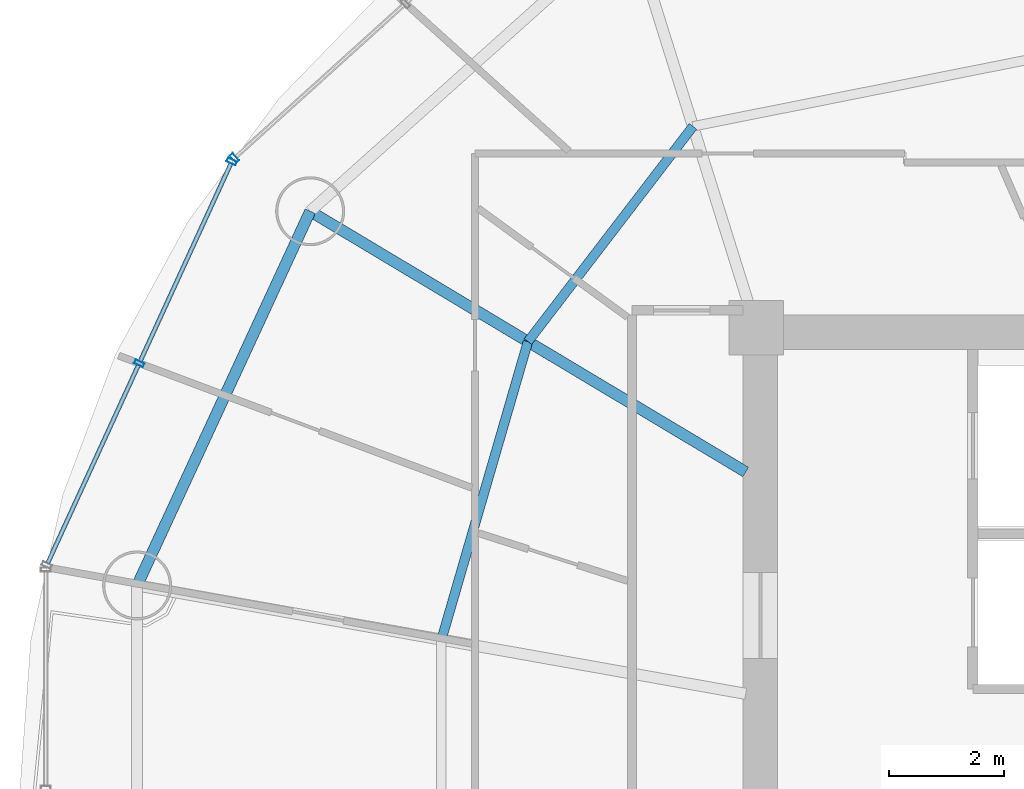
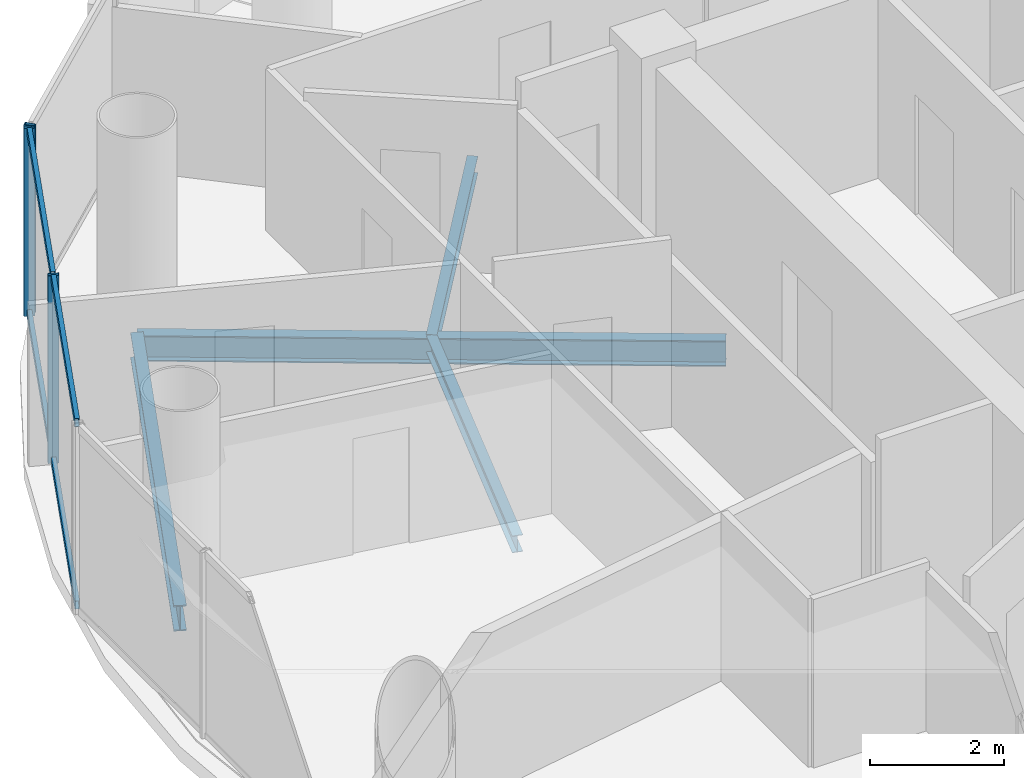
# One storey, part 8 of 27: 7 members, 4 beams, 2 elements without a shape of their own.
"""IFC4 building model written with IfcOpenShell, lengths in metres."""

import ifcopenshell
import ifcopenshell.guid

model = None  # the IFC model being written
_history = None  # IfcOwnerHistory: only IFC2X3 demands one
_inside = {}  # id of a spatial element -> (the spatial element, [elements in it])
_under = {}  # id of a project, library or spatial element -> (it, [spatial elements below it])
_declared = {}  # id of a project -> (the project, [libraries it declares])
_typed = {}  # id of a type object -> (the type object, [elements of that type])
_made_of = {}  # id of a material, layer set ... -> (it, [elements and type objects made of it])


def new_model(schema):
    """Start an empty IFC model of exactly this schema.

    Asked for "IFC4X3", IfcOpenShell would pick the latest addendum, in which some entities
    have other attributes; the version numbers below select the first issue.
    IFC2X3 requires an IfcOwnerHistory on every rooted entity: one is made here for all.
    """
    global model, _history
    if schema == "IFC4X3":
        model = ifcopenshell.file(schema_version=(4, 3, 0, 0))
    else:
        model = ifcopenshell.file(schema=schema)
    _inside.clear()
    _under.clear()
    _declared.clear()
    _typed.clear()
    _made_of.clear()
    _history = None
    if model.schema == "IFC2X3":
        org = make("IfcOrganization", Name="unknown")
        user = make(
            "IfcPersonAndOrganization",
            ThePerson=make("IfcPerson", FamilyName="unknown"),
            TheOrganization=org,
        )
        app = make(
            "IfcApplication",
            ApplicationDeveloper=org,
            Version="unknown",
            ApplicationFullName="unknown",
            ApplicationIdentifier="unknown",
        )
        _history = make(
            "IfcOwnerHistory",
            OwningUser=user,
            OwningApplication=app,
            ChangeAction="ADDED",
            CreationDate=0,
        )
    return model


def make(cls, **values):
    """One entity of the class cls with the attributes given. An attribute that is None is left unset."""
    return model.create_entity(
        cls, **{name: value for name, value in values.items() if value is not None}
    )


def rooted(cls, **values):
    """An entity with a GlobalId (a new one), such as an element, a storey or a relation."""
    return make(cls, GlobalId=ifcopenshell.guid.new(), OwnerHistory=_history, **values)


def si_unit(unit_type, name, prefix=None):
    """IfcSIUnit, for example si_unit("LENGTHUNIT", "METRE", prefix="MILLI")."""
    return make("IfcSIUnit", UnitType=unit_type, Prefix=prefix, Name=name)


def assignment(units):
    """IfcUnitAssignment: the units of a project."""
    return None if units is None else make("IfcUnitAssignment", Units=units)


def point(xyz):
    """IfcCartesianPoint."""
    return None if xyz is None else make("IfcCartesianPoint", Coordinates=xyz)


def direction(xyz):
    """IfcDirection."""
    return None if xyz is None else make("IfcDirection", DirectionRatios=xyz)


def frame(location, z_axis=None, x_axis=None):
    """IfcAxis2Placement3D, a coordinate frame: its origin and axes. An axis left out is left unset."""
    return make(
        "IfcAxis2Placement3D",
        Location=point(location),
        Axis=direction(z_axis),
        RefDirection=direction(x_axis),
    )


def frame_2d(location, x_axis=None):
    """IfcAxis2Placement2D, a coordinate frame in the plane: its origin and x axis."""
    return make(
        "IfcAxis2Placement2D", Location=point(location), RefDirection=direction(x_axis)
    )


def origin():
    """The frame at (0, 0, 0) with its axes left unset."""
    return frame((0.0, 0.0, 0.0))


def origin_2d():
    """The frame at (0, 0) in the plane with its x axis left unset."""
    return frame_2d((0.0, 0.0))


def place(relative_to, where):
    """IfcLocalPlacement: puts the frame where relative to a parent placement (None: the world)."""
    return make(
        "IfcLocalPlacement", PlacementRelTo=relative_to, RelativePlacement=where
    )


def context(
    kind, dimensions, precision=None, world=None, true_north=None, identifier=None
):
    """IfcGeometricRepresentationContext, for example the 3D "Model" context."""
    return make(
        "IfcGeometricRepresentationContext",
        ContextIdentifier=identifier,
        ContextType=kind,
        CoordinateSpaceDimension=dimensions,
        Precision=precision,
        WorldCoordinateSystem=world,
        TrueNorth=true_north,
    )


def subcontext(parent, identifier, kind, view, scale=None):
    """IfcGeometricRepresentationSubContext, for example "Body" below "Model"."""
    return make(
        "IfcGeometricRepresentationSubContext",
        ContextIdentifier=identifier,
        ContextType=kind,
        ParentContext=parent,
        TargetScale=scale,
        TargetView=view,
    )


def project(units=None, contexts=None):
    """IfcProject with its units and contexts."""
    return rooted(
        "IfcProject",
        Name="project",
        RepresentationContexts=contexts,
        UnitsInContext=assignment(units),
    )


def spatial(cls, under=None, at=None, **own):
    """A site, building, storey or space (cls), placed at a placement, below another one or the project."""
    s = rooted(cls, ObjectPlacement=at, **own)
    if under is not None:
        _under.setdefault(under.id(), (under, []))[1].append(s)
    return s


def profile(cls, at=None, kind="AREA", **sizes):
    """A parametric profile (cls). Its sizes go by their IFC names, for example OverallWidth=200.0."""
    return make(cls, ProfileType=kind, Position=at, **sizes)


def hollow_rectangle(**sizes):
    """IfcRectangleHollowProfileDef."""
    return profile("IfcRectangleHollowProfileDef", **sizes)


def i_section(**sizes):
    """IfcIShapeProfileDef."""
    return profile("IfcIShapeProfileDef", **sizes)


def extrude(swept, where, along, depth):
    """IfcExtrudedAreaSolid: the profile swept, set in the frame where, extruded along a direction by depth."""
    return make(
        "IfcExtrudedAreaSolid",
        SweptArea=swept,
        Position=where,
        ExtrudedDirection=direction(along),
        Depth=depth,
    )


def shape(context_of_items, identifier, shape_type, items):
    """IfcShapeRepresentation: the items that make up one representation, for example the "Body"."""
    return make(
        "IfcShapeRepresentation",
        ContextOfItems=context_of_items,
        RepresentationIdentifier=identifier,
        RepresentationType=shape_type,
        Items=items,
    )


def source(mapping_origin, context_of_items, identifier, shape_type, items):
    """IfcRepresentationMap: a shape defined once, which mapped items show again and again."""
    return make(
        "IfcRepresentationMap",
        MappingOrigin=mapping_origin,
        MappedRepresentation=shape(context_of_items, identifier, shape_type, items),
    )


def transform(
    local_origin,
    x_axis=None,
    y_axis=None,
    z_axis=None,
    scale=None,
    scale2=None,
    scale3=None,
    uniform=True,
):
    """IfcCartesianTransformationOperator3D, or its non-uniform kind. x_axis, y_axis, z_axis: its Axis1, 2, 3."""
    if uniform:
        return make(
            "IfcCartesianTransformationOperator3D",
            Axis1=direction(x_axis),
            Axis2=direction(y_axis),
            LocalOrigin=point(local_origin),
            Scale=scale,
            Axis3=direction(z_axis),
        )
    return make(
        "IfcCartesianTransformationOperator3DnonUniform",
        Axis1=direction(x_axis),
        Axis2=direction(y_axis),
        LocalOrigin=point(local_origin),
        Scale=scale,
        Axis3=direction(z_axis),
        Scale2=scale2,
        Scale3=scale3,
    )


def mapped(mapping_source, mapping_target):
    """IfcMappedItem: shows the shape of a source again, moved by a transform."""
    return make(
        "IfcMappedItem", MappingSource=mapping_source, MappingTarget=mapping_target
    )


def material(Name=None, Category=None):
    """IfcMaterial."""
    return make("IfcMaterial", Name=Name, Category=Category)


def material_profile(
    of_material, cross_section, Name=None, Category=None, Priority=None
):
    """IfcMaterialProfile: a cross section and its material."""
    return make(
        "IfcMaterialProfile",
        Name=Name,
        Material=of_material,
        Profile=cross_section,
        Priority=Priority,
        Category=Category,
    )


def profile_set(profiles, Name=None, composite=None):
    """IfcMaterialProfileSet."""
    return make(
        "IfcMaterialProfileSet",
        Name=Name,
        MaterialProfiles=profiles,
        CompositeProfile=composite,
    )


def made_of(thing, what):
    """Note that an element or type object is made of a material, layer set ...; save() writes the relation."""
    if what is not None:
        _made_of.setdefault(what.id(), (what, []))[1].append(thing)
    return thing


def type_object(cls, material=None, **own):
    """A type object (cls), such as IfcWallType, which elements share."""
    return made_of(rooted(cls, **own), material)


def element(
    cls,
    number,
    at=None,
    inside=None,
    cuts=None,
    type_object=None,
    material=None,
    context=None,
    identifier="Body",
    shape_type=None,
    held_by="IfcProductDefinitionShape",
    body=None,
    shapes=None,
    **own,
):
    """One element of the class cls, such as IfcWall. Its Tag is "e" and its number.

    at: its placement. inside: the storey or other place that contains it. cuts: it is an
    opening in that element (IfcRelVoidsElement). A single representation is given by context,
    identifier, shape_type and body (its items); several are given by shapes. held_by: the class
    of the entity that holds the representations. save() writes the other relations.
    """
    e = rooted(cls, Tag="e%d" % number, ObjectPlacement=at, **own)
    if body is not None:
        shapes = [shape(context, identifier, shape_type, body)]
    if shapes is not None:
        e.Representation = make(held_by, Representations=shapes)
    if inside is not None:
        _inside.setdefault(inside.id(), (inside, []))[1].append(e)
    if cuts is not None:
        rooted(
            "IfcRelVoidsElement", RelatingBuildingElement=cuts, RelatedOpeningElement=e
        )
    if type_object is not None:
        _typed.setdefault(type_object.id(), (type_object, []))[1].append(e)
    return made_of(e, material)


def aggregate(whole, parts):
    """IfcRelAggregates: a whole, such as a stair, and the parts it consists of."""
    return rooted("IfcRelAggregates", RelatingObject=whole, RelatedObjects=parts)


def save(model, path):
    """Write the relations noted so far, then the file.

    IfcRelAggregates (storeys below a building ...), IfcRelContainedInSpatialStructure (elements
    in a storey), IfcRelDefinesByType, IfcRelAssociatesMaterial and IfcRelDeclares: one each for
    every whole, place, type object, material and project.
    """
    for whole, parts in _under.values():
        aggregate(whole, parts)
    for where, things in _inside.values():
        rooted(
            "IfcRelContainedInSpatialStructure",
            RelatedElements=things,
            RelatingStructure=where,
        )
    for kind, things in _typed.values():
        rooted("IfcRelDefinesByType", RelatedObjects=things, RelatingType=kind)
    for what, things in _made_of.values():
        rooted("IfcRelAssociatesMaterial", RelatedObjects=things, RelatingMaterial=what)
    for by, libraries in _declared.values():
        rooted("IfcRelDeclares", RelatingContext=by, RelatedDefinitions=libraries)
    model.write(path)


model = new_model("IFC4")

# Units and contexts
model_context = context("Model", 3, precision=1e-05, world=origin(), true_north=direction((-0.2419218956, 0.970295726276)))
body_context = subcontext(model_context, "Body", "Model", "MODEL_VIEW")
ifc_project = project(units=[si_unit("LENGTHUNIT", "METRE"), si_unit("AREAUNIT", "SQUARE_METRE"), si_unit("VOLUMEUNIT", "CUBIC_METRE"), si_unit("PLANEANGLEUNIT", "RADIAN"), si_unit("MASSUNIT", "GRAM", prefix="KILO")], contexts=[model_context])

# Site, building, storey
site_placement = place(None, origin())
site = spatial("IfcSite", under=ifc_project, at=site_placement, CompositionType="ELEMENT")
building_placement = place(site_placement, origin())
building = spatial("IfcBuilding", under=site, at=building_placement, Name="Cobrevalo Terracotta Tower", CompositionType="ELEMENT")
storey_placement = place(building_placement, frame((0.0, 0.0, 194.89990234375)))
storey = spatial("IfcBuildingStorey", under=building, at=storey_placement, Name="L51", CompositionType="ELEMENT", Elevation=194.89990234375)

# Beams
ifc_material_1 = material(Name="Steel S355", Category="steel")
ifc_material_profile_1 = material_profile(ifc_material_1, i_section(OverallWidth=0.194091796875, OverallDepth=0.468994140625, WebThickness=0.011474609375, FlangeThickness=0.0205078125, at=origin_2d()), Name="W 460x106")
ifc_profile_set_1 = profile_set([ifc_material_profile_1], Name="Steel S355")
beam_type_1 = type_object("IfcBeamType", Name="Structural Beam W 460x106 (Steel S355)", PredefinedType="BEAM", material=ifc_profile_set_1)
beam_1_placement = place(storey_placement, frame((21.245849609375, 36.828125, -0.49951171875), z_axis=(0.858046392192, -0.513572184651, 0.0), x_axis=(0.513572184651, 0.858046392192, 0.0)))
element("IfcBeam", 1, at=beam_1_placement, inside=storey, type_object=beam_type_1, Name="L51 radial floor girder 07", PredefinedType="BEAM", context=body_context, shape_type="SweptSolid", body=[
    extrude(i_section(OverallWidth=0.194091796875, OverallDepth=0.468994140625, WebThickness=0.011474609375, FlangeThickness=0.0205078125, at=origin_2d()), origin(), (0.0, 0.0, 1.0), 8.827392578125),
])
ifc_material_profile_2 = material_profile(ifc_material_1, i_section(OverallWidth=0.1650390625, OverallDepth=0.31005859375, WebThickness=0.005859375, FlangeThickness=0.009765625, at=origin_2d()), Name="W 310x38.7")
ifc_profile_set_2 = profile_set([ifc_material_profile_2], Name="Steel S355")
beam_type_2 = type_object("IfcBeamType", Name="Structural Joist W 310x38.7 (Steel S355)", PredefinedType="JOIST", material=ifc_profile_set_2)
beam_2_placement = place(storey_placement, frame((27.902587890625, 38.303955078125, -0.419921875), z_axis=(-0.608464146296, -0.793581364872, 0.0), x_axis=(0.793581364872, -0.608464146296, 0.0)))
element("IfcBeam", 2, at=beam_2_placement, inside=storey, type_object=beam_type_2, Name="L51 circumferential secondary floor joist 06", PredefinedType="JOIST", context=body_context, shape_type="SweptSolid", body=[
    extrude(i_section(OverallWidth=0.1650390625, OverallDepth=0.31005859375, WebThickness=0.005859375, FlangeThickness=0.009765625, at=origin_2d()), origin(), (0.0, 0.0, 1.0), 4.716064453125),
])
beam_3_placement = place(storey_placement, frame((25.032958984375, 34.561279296875, -0.419921875), z_axis=(-0.278769817131, -0.960357948401, 0.0), x_axis=(0.960357948401, -0.278769817131, 0.0)))
element("IfcBeam", 3, at=beam_3_placement, inside=storey, type_object=beam_type_2, Name="L51 circumferential secondary floor joist 07", PredefinedType="JOIST", context=body_context, shape_type="SweptSolid", body=[
    extrude(i_section(OverallWidth=0.1650390625, OverallDepth=0.31005859375, WebThickness=0.005859375, FlangeThickness=0.009765625, at=origin_2d()), origin(), (0.0, 0.0, 1.0), 5.396484375),
])
ifc_material_profile_3 = material_profile(ifc_material_1, i_section(OverallWidth=0.194091796875, OverallDepth=0.468994140625, WebThickness=0.011474609375, FlangeThickness=0.0205078125, at=origin_2d()), Name="W 460x106")
ifc_profile_set_3 = profile_set([ifc_material_profile_3], Name="Steel S355")
beam_type_3 = type_object("IfcBeamType", Name="Structural Spandrel W 460x106 (Steel S355)", PredefinedType="SPANDREL", material=ifc_profile_set_3)
beam_4_placement = place(storey_placement, frame((21.245849609375, 36.828125, -0.49951171875), z_axis=(-0.419705965131, -0.907660125176, 0.0), x_axis=(0.907660125176, -0.419705965131, 0.0)))
element("IfcBeam", 4, at=beam_4_placement, inside=storey, type_object=beam_type_3, Name="L51 perimeter ring spandrel 07", PredefinedType="SPANDREL", context=body_context, shape_type="SweptSolid", body=[
    extrude(i_section(OverallWidth=0.194091796875, OverallDepth=0.468994140625, WebThickness=0.011474609375, FlangeThickness=0.0205078125, at=origin_2d()), origin(), (0.0, 0.0, 1.0), 7.168701171875),
])

# Curtain wall, members
ifc_material_2 = material(Name="Anodized aluminium", Category="aluminium")
curtain_wall_type = type_object("IfcCurtainWallType", Name="Mid-tower high-wind unitised curtain wall CW-U2", PredefinedType="NOTDEFINED", material=ifc_material_2)
curtain_wall_1_placement = place(storey_placement, origin())
curtain_wall_1 = element("IfcCurtainWall", 5, at=curtain_wall_1_placement, inside=storey, type_object=curtain_wall_type, Name="L51 curtain wall CW-L51-S07", PredefinedType="NOTDEFINED")
ifc_material_profile_4 = material_profile(ifc_material_2, hollow_rectangle(XDim=0.074951171875, YDim=0.14990234375, WallThickness=0.00439453125, at=origin_2d()), Name="CWT 75x150")
ifc_profile_set_4 = profile_set([ifc_material_profile_4], Name="Anodized aluminium")
member_type_1 = type_object("IfcMemberType", Name="Tower unitised aluminium transom 75x150", PredefinedType="USERDEFINED", material=ifc_profile_set_4)
shared_shape_1 = source(origin(), body_context, "Body", "SweptSolid", [
    extrude(hollow_rectangle(XDim=0.074951171875, YDim=0.14990234375, WallThickness=0.00439453125, at=origin_2d()), origin(), (0.0, 0.0, 1.0), 3.780029296875),
])
member_1_placement = place(storey_placement, frame((19.865478515625, 37.6552734375, 0.050048828125), z_axis=(-0.416705859352, -0.909041377926, 0.0), x_axis=(0.909041377926, -0.416705859352, 0.0)))
member_1 = element("IfcMember", 6, at=member_1_placement, type_object=member_type_1, Name="CW-L51-S07 transom B01-T1", ObjectType="TRANSOM", PredefinedType="USERDEFINED", context=body_context, shape_type="MappedRepresentation", body=[
    mapped(shared_shape_1, transform((0.0, 0.0, 0.0), scale=1.0)),
])
member_2_placement = place(storey_placement, frame((19.865478515625, 37.6552734375, 3.385009765625), z_axis=(-0.416705859352, -0.909041377926, 0.0), x_axis=(0.909041377926, -0.416705859352, 0.0)))
member_2 = element("IfcMember", 7, at=member_2_placement, type_object=member_type_1, Name="CW-L51-S07 transom B01-T2", ObjectType="TRANSOM", PredefinedType="USERDEFINED", context=body_context, shape_type="MappedRepresentation", body=[
    mapped(shared_shape_1, transform((0.0, 0.0, 0.0), scale=1.0)),
])
member_3_placement = place(storey_placement, frame((18.2568359375, 34.146484375, 0.050048828125), z_axis=(-0.416705859352, -0.909041377926, 0.0), x_axis=(0.909041377926, -0.416705859352, 0.0)))
member_3 = element("IfcMember", 8, at=member_3_placement, type_object=member_type_1, Name="CW-L51-S07 transom B02-T1", ObjectType="TRANSOM", PredefinedType="USERDEFINED", context=body_context, shape_type="MappedRepresentation", body=[
    mapped(shared_shape_1, transform((0.0, 0.0, 0.0), scale=1.0)),
])
member_4_placement = place(storey_placement, frame((18.2568359375, 34.146484375, 3.385009765625), z_axis=(-0.416705859352, -0.909041377926, 0.0), x_axis=(0.909041377926, -0.416705859352, 0.0)))
member_4 = element("IfcMember", 9, at=member_4_placement, type_object=member_type_1, Name="CW-L51-S07 transom B02-T2", ObjectType="TRANSOM", PredefinedType="USERDEFINED", context=body_context, shape_type="MappedRepresentation", body=[
    mapped(shared_shape_1, transform((0.0, 0.0, 0.0), scale=1.0)),
])

# Curtain wall, member
curtain_wall_2_placement = place(storey_placement, origin())
curtain_wall_2 = element("IfcCurtainWall", 10, at=curtain_wall_2_placement, inside=storey, type_object=curtain_wall_type, Name="L51 curtain wall CW-L51-S06", PredefinedType="NOTDEFINED")
ifc_material_profile_5 = material_profile(ifc_material_2, hollow_rectangle(XDim=0.070068359375, YDim=0.169921875, WallThickness=0.00439453125, at=origin_2d()), Name="CWM 70x170")
ifc_profile_set_5 = profile_set([ifc_material_profile_5], Name="Anodized aluminium")
member_type_2 = type_object("IfcMemberType", Name="Upper tower unitised mullion 70x170", PredefinedType="MULLION", material=ifc_profile_set_5)
shared_shape_2 = source(origin(), body_context, "Body", "SweptSolid", [
    extrude(hollow_rectangle(XDim=0.070068359375, YDim=0.169921875, WallThickness=0.00439453125, at=origin_2d()), origin(), (0.0, 0.0, 1.0), 3.43505859375),
])
member_5_placement = place(storey_placement, frame((19.928466796875, 37.7548828125, 0.0), z_axis=(0.0, 0.0, 1.0), x_axis=(-0.741987542015, -0.670413668935, 0.0)))
member_5 = element("IfcMember", 11, at=member_5_placement, type_object=member_type_2, Name="CW-L51-S06 vertical mullion 03", PredefinedType="MULLION", context=body_context, shape_type="MappedRepresentation", body=[
    mapped(shared_shape_2, transform((0.0, 0.0, 0.0), scale=1.0)),
])
aggregate(curtain_wall_2, [member_5])

# Member
member_6_placement = place(storey_placement, frame((19.88232421875, 37.691650390625, 0.0), z_axis=(0.0, 0.0, 1.0), x_axis=(-0.41672507912, -0.909032567311, 0.0)))
member_6 = element("IfcMember", 12, at=member_6_placement, type_object=member_type_2, Name="CW-L51-S07 vertical mullion 01", PredefinedType="MULLION", context=body_context, shape_type="MappedRepresentation", body=[
    mapped(shared_shape_2, transform((0.0, 0.0, 0.0), scale=1.0)),
])

member_7_placement = place(storey_placement, frame((18.273681640625, 34.182861328125, 0.0), z_axis=(0.0, 0.0, 1.0), x_axis=(-0.41672507912, -0.909032567311, 0.0)))
member_7 = element("IfcMember", 13, at=member_7_placement, type_object=member_type_2, Name="CW-L51-S07 vertical mullion 02", PredefinedType="MULLION", context=body_context, shape_type="MappedRepresentation", body=[
    mapped(shared_shape_2, transform((0.0, 0.0, 0.0), scale=1.0)),
])

aggregate(curtain_wall_1, [member_6, member_7, member_1, member_2, member_3, member_4])

save(model, "model.ifc")
